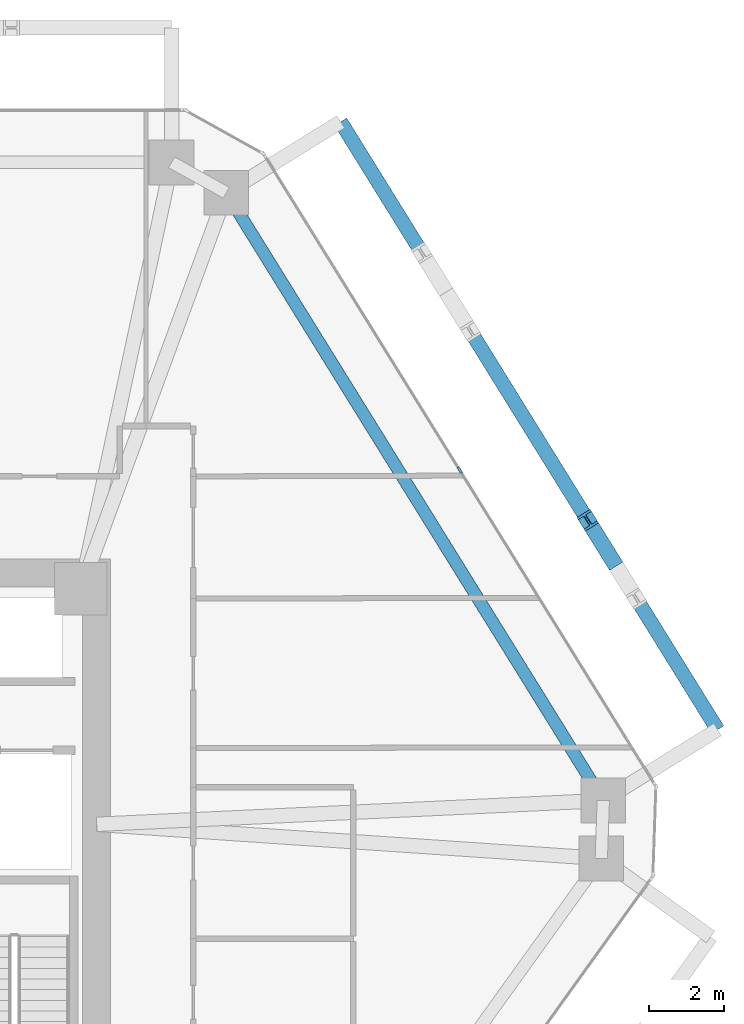
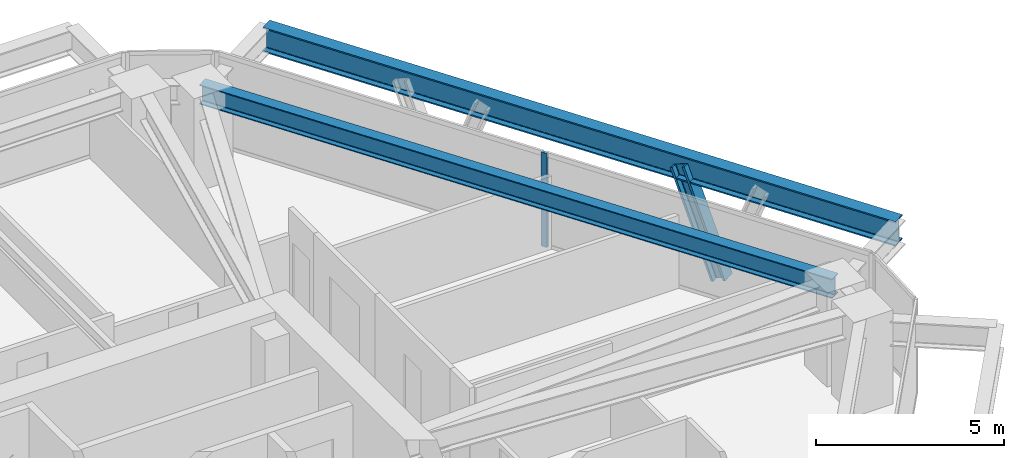
# One storey, part 6 of 14: 2 beams, 2 members, 1 element without a shape of its own.
"""IFC4 building model written with IfcOpenShell, lengths in metres."""

from ifc_helpers import new_model, si_unit, direction, frame, origin, origin_2d, place, context, subcontext, project, spatial, rectangle, i_section, extrude, source, transform, mapped, material, layer, layer_set, material_profile, profile_set, type_object, type_shapes, element, aggregate, save


model = new_model("IFC4")

# Units and contexts
model_context = context("Model", 3, precision=1e-05, world=origin(), true_north=direction((0.0, 1.0)))
body_context = subcontext(model_context, "Body", "Model", "MODEL_VIEW")
ifc_project = project(units=[si_unit("LENGTHUNIT", "METRE"), si_unit("AREAUNIT", "SQUARE_METRE"), si_unit("VOLUMEUNIT", "CUBIC_METRE"), si_unit("PLANEANGLEUNIT", "RADIAN"), si_unit("MASSUNIT", "GRAM", prefix="KILO")], contexts=[model_context])

# Site, building, storey
site_placement = place(None, origin())
site = spatial("IfcSite", under=ifc_project, at=site_placement, CompositionType="ELEMENT")
building_placement = place(site_placement, origin())
building = spatial("IfcBuilding", under=site, at=building_placement, Name="Durnholm Broadcast Tower", CompositionType="ELEMENT")
storey_placement = place(building_placement, frame((0.0, 0.0, 127.199951171875)))
storey = spatial("IfcBuildingStorey", under=building, at=storey_placement, Name="L34", CompositionType="ELEMENT", Elevation=127.199951171875)

# Beams
ifc_material_1 = material(Name="Steel ASTM A992 Grade 50", Category="steel")
ifc_material_profile_1 = material_profile(ifc_material_1, i_section(OverallWidth=0.3291015625, OverallDepth=0.635009765625, WebThickness=0.017822265625, FlangeThickness=0.031005859375, FilletRadius=0.02783203125, at=origin_2d()), Name="W24X162")
ifc_profile_set_1 = profile_set([ifc_material_profile_1], Name="Steel ASTM A992 Grade 50")
beam_type_1 = type_object("IfcBeamType", Name="STL-SP-W24X162", PredefinedType="SPANDREL", material=ifc_profile_set_1)
shared_shape_1 = source(origin(), body_context, "Body", "SweptSolid", [
    extrude(i_section(OverallWidth=0.3291015625, OverallDepth=0.635009765625, WebThickness=0.017822265625, FlangeThickness=0.031005859375, FilletRadius=0.02783203125, at=origin_2d()), origin(), (0.0, 0.0, 1.0), 19.139404296875),
])
type_shapes(beam_type_1, [shared_shape_1])
beam_1_placement = place(storey_placement, frame((13.692138671875, 18.4013671875, 2.7275390625), z_axis=(0.527111038734, -0.84979641847, 0.0), x_axis=(0.84979641847, 0.527111038734, 0.0)))
element("IfcBeam", 1, at=beam_1_placement, inside=storey, type_object=beam_type_1, Name="L34 perimeter spandrel girder 07", PredefinedType="SPANDREL", context=body_context, shape_type="MappedRepresentation", body=[
    mapped(shared_shape_1, transform((0.0, 0.0, 0.0), x_axis=(1.0, 0.0, 0.0), y_axis=(0.0, 1.0, 0.0), z_axis=(0.0, 0.0, 1.0), scale=1.0)),
])
ifc_material_profile_2 = material_profile(ifc_material_1, i_section(OverallWidth=0.385009765625, OverallDepth=0.802978515625, WebThickness=0.023681640625, FlangeThickness=0.0419921875, FilletRadius=0.032958984375, at=origin_2d()), Name="W30X261")
ifc_profile_set_2 = profile_set([ifc_material_profile_2], Name="Steel ASTM A992 Grade 50")
beam_type_2 = type_object("IfcBeamType", Name="BM-EXO-TIE", PredefinedType="USERDEFINED", material=ifc_profile_set_2)
shared_shape_2 = source(origin(), body_context, "Body", "SweptSolid", [
    extrude(i_section(OverallWidth=0.385009765625, OverallDepth=0.802978515625, WebThickness=0.023681640625, FlangeThickness=0.0419921875, FilletRadius=0.032958984375, at=origin_2d()), origin(), (0.0, 0.0, 1.0), 19.139404296875),
])
type_shapes(beam_type_2, [shared_shape_2])
beam_2_placement = place(storey_placement, frame((26.840087890625, 4.0341796875, 2.30859375), z_axis=(-0.527111038734, 0.84979641847, 0.0), x_axis=(-0.84979641847, -0.527111038734, 0.0)))
element("IfcBeam", 2, at=beam_2_placement, inside=storey, type_object=beam_type_2, Name="L34 exoskeleton collector spandrel F3", PredefinedType="SPANDREL", context=body_context, shape_type="MappedRepresentation", body=[
    mapped(shared_shape_2, transform((0.0, 0.0, 0.0), x_axis=(1.0, 0.0, 0.0), y_axis=(0.0, 1.0, 0.0), z_axis=(0.0, 0.0, 1.0), scale=1.0)),
])

# Member
ifc_material_2 = material(Name="Steel ASTM A913 Grade 65", Category="steel")
ifc_material_profile_3 = material_profile(ifc_material_2, i_section(OverallWidth=0.41845703125, OverallDepth=0.455078125, WebThickness=0.0419921875, FlangeThickness=0.067626953125, FilletRadius=0.030517578125, at=origin_2d()), Name="W14X370")
ifc_profile_set_3 = profile_set([ifc_material_profile_3], Name="Steel ASTM A913 Grade 65")
member_type_1 = type_object("IfcMemberType", Name="STL-DG-W14X370", PredefinedType="BRACE", material=ifc_profile_set_3)
shared_shape_3 = source(origin(), body_context, "Body", "SweptSolid", [
    extrude(i_section(OverallWidth=0.41845703125, OverallDepth=0.455078125, WebThickness=0.0419921875, FlangeThickness=0.067626953125, FilletRadius=0.030517578125, at=origin_2d()), origin(), (0.0, 0.0, 1.0), 3.523193359375),
])
type_shapes(member_type_1, [shared_shape_3])
member_1_placement = place(storey_placement, frame((24.01513671875, 8.58837890625, -0.991455078125), z_axis=(-0.184606642766, 0.297560406921, 0.936684681032), x_axis=(-0.849750220063, -0.527185511469, 0.0)))
element("IfcMember", 3, at=member_1_placement, inside=storey, type_object=member_type_1, Name="L34 stand-off diagrid brace F3.D1.2", PredefinedType="BRACE", context=body_context, shape_type="MappedRepresentation", body=[
    mapped(shared_shape_3, transform((0.0, 0.0, 0.0), x_axis=(1.0, 0.0, 0.0), y_axis=(0.0, 1.0, 0.0), z_axis=(0.0, 0.0, 1.0), scale=1.0)),
])

# Curtain wall, member
ifc_material_3 = material(Name="Aluminium and Solar Control IGU", Category="aluminium")
ifc_layer = layer(ifc_material_3, 0.18994140625)
ifc_layer_set = layer_set([ifc_layer], Name="Aluminium and Solar Control IGU")
curtain_wall_type = type_object("IfcCurtainWallType", Name="CW-SYS-3", PredefinedType="NOTDEFINED", material=ifc_layer_set)
curtain_wall_placement = place(storey_placement, origin())
curtain_wall = element("IfcCurtainWall", 4, at=curtain_wall_placement, inside=storey, type_object=curtain_wall_type, Name="L34 curtain wall CW-Z12-VIS CW-L34-F06", PredefinedType="NOTDEFINED")
ifc_material_4 = material(Name="Aluminium 6063-T6", Category="aluminium")
ifc_material_profile_4 = material_profile(ifc_material_4, rectangle(XDim=0.070068359375, YDim=0.18994140625, at=origin_2d()), Name="CWM70X190")
ifc_profile_set_4 = profile_set([ifc_material_profile_4], Name="Aluminium 6063-T6")
member_type_2 = type_object("IfcMemberType", Name="CW-SYS-3-MUL", PredefinedType="MULLION", material=ifc_profile_set_4)
shared_shape_4 = source(origin(), body_context, "Body", "SweptSolid", [
    extrude(rectangle(XDim=0.070068359375, YDim=0.18994140625, at=origin_2d()), origin(), (0.0, 0.0, 1.0), 3.06005859375),
])
type_shapes(member_type_2, [shared_shape_4])
member_2_placement = place(storey_placement, frame((19.9423828125, 10.980712890625, 0.0), z_axis=(0.0, 0.0, 1.0), x_axis=(0.849799925229, 0.527105385176, 0.0)))
member_2 = element("IfcMember", 5, at=member_2_placement, type_object=member_type_2, Name="CW-Z12-VIS mullion 2", PredefinedType="MULLION", context=body_context, shape_type="MappedRepresentation", body=[
    mapped(shared_shape_4, transform((0.0, 0.0, 0.0), x_axis=(1.0, 0.0, 0.0), y_axis=(0.0, 1.0, 0.0), z_axis=(0.0, 0.0, 1.0), scale=1.0)),
])
aggregate(curtain_wall, [member_2])

save(model, "model.ifc")
